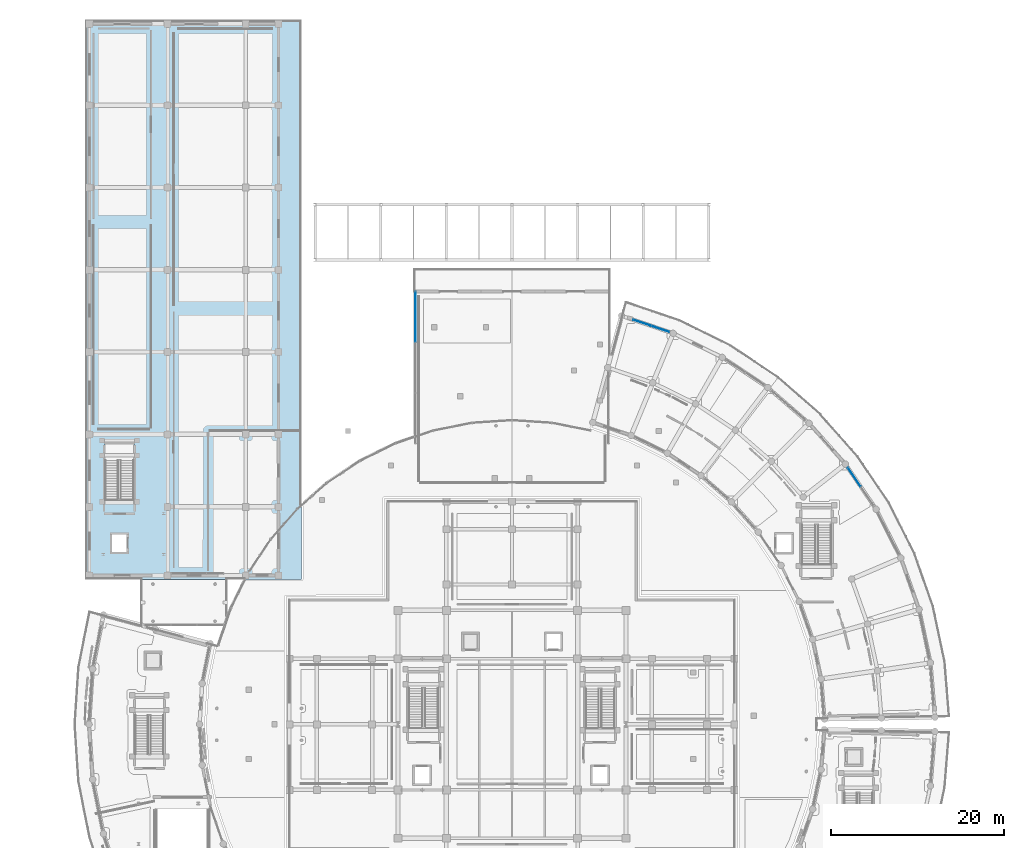
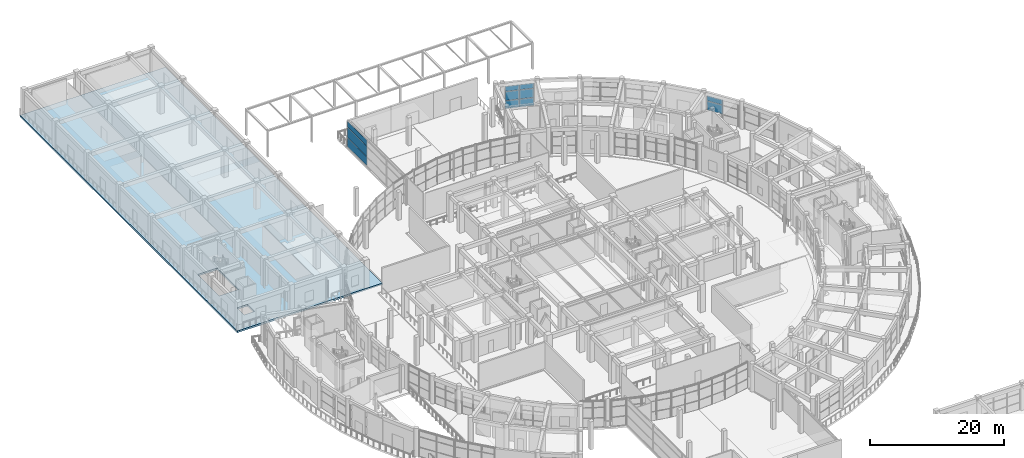
# One storey, part 62 of 99: 11 plates, 1 slab, 3 elements without a shape of their own.
"""IFC4 building model written with IfcOpenShell, lengths in metres."""

import ifcopenshell
import ifcopenshell.guid

model = None  # the IFC model being written
_history = None  # IfcOwnerHistory: only IFC2X3 demands one
_inside = {}  # id of a spatial element -> (the spatial element, [elements in it])
_under = {}  # id of a project, library or spatial element -> (it, [spatial elements below it])
_declared = {}  # id of a project -> (the project, [libraries it declares])
_typed = {}  # id of a type object -> (the type object, [elements of that type])
_made_of = {}  # id of a material, layer set ... -> (it, [elements and type objects made of it])


def new_model(schema):
    """Start an empty IFC model of exactly this schema.

    Asked for "IFC4X3", IfcOpenShell would pick the latest addendum, in which some entities
    have other attributes; the version numbers below select the first issue.
    IFC2X3 requires an IfcOwnerHistory on every rooted entity: one is made here for all.
    """
    global model, _history
    if schema == "IFC4X3":
        model = ifcopenshell.file(schema_version=(4, 3, 0, 0))
    else:
        model = ifcopenshell.file(schema=schema)
    _inside.clear()
    _under.clear()
    _declared.clear()
    _typed.clear()
    _made_of.clear()
    _history = None
    if model.schema == "IFC2X3":
        org = make("IfcOrganization", Name="unknown")
        user = make(
            "IfcPersonAndOrganization",
            ThePerson=make("IfcPerson", FamilyName="unknown"),
            TheOrganization=org,
        )
        app = make(
            "IfcApplication",
            ApplicationDeveloper=org,
            Version="unknown",
            ApplicationFullName="unknown",
            ApplicationIdentifier="unknown",
        )
        _history = make(
            "IfcOwnerHistory",
            OwningUser=user,
            OwningApplication=app,
            ChangeAction="ADDED",
            CreationDate=0,
        )
    return model


def make(cls, **values):
    """One entity of the class cls with the attributes given. An attribute that is None is left unset."""
    return model.create_entity(
        cls, **{name: value for name, value in values.items() if value is not None}
    )


def rooted(cls, **values):
    """An entity with a GlobalId (a new one), such as an element, a storey or a relation."""
    return make(cls, GlobalId=ifcopenshell.guid.new(), OwnerHistory=_history, **values)


def si_unit(unit_type, name, prefix=None):
    """IfcSIUnit, for example si_unit("LENGTHUNIT", "METRE", prefix="MILLI")."""
    return make("IfcSIUnit", UnitType=unit_type, Prefix=prefix, Name=name)


def assignment(units):
    """IfcUnitAssignment: the units of a project."""
    return None if units is None else make("IfcUnitAssignment", Units=units)


def point(xyz):
    """IfcCartesianPoint."""
    return None if xyz is None else make("IfcCartesianPoint", Coordinates=xyz)


def direction(xyz):
    """IfcDirection."""
    return None if xyz is None else make("IfcDirection", DirectionRatios=xyz)


def frame(location, z_axis=None, x_axis=None):
    """IfcAxis2Placement3D, a coordinate frame: its origin and axes. An axis left out is left unset."""
    return make(
        "IfcAxis2Placement3D",
        Location=point(location),
        Axis=direction(z_axis),
        RefDirection=direction(x_axis),
    )


def frame_2d(location, x_axis=None):
    """IfcAxis2Placement2D, a coordinate frame in the plane: its origin and x axis."""
    return make(
        "IfcAxis2Placement2D", Location=point(location), RefDirection=direction(x_axis)
    )


def origin():
    """The frame at (0, 0, 0) with its axes left unset."""
    return frame((0.0, 0.0, 0.0))


def origin_2d():
    """The frame at (0, 0) in the plane with its x axis left unset."""
    return frame_2d((0.0, 0.0))


def place(relative_to, where):
    """IfcLocalPlacement: puts the frame where relative to a parent placement (None: the world)."""
    return make(
        "IfcLocalPlacement", PlacementRelTo=relative_to, RelativePlacement=where
    )


def context(
    kind, dimensions, precision=None, world=None, true_north=None, identifier=None
):
    """IfcGeometricRepresentationContext, for example the 3D "Model" context."""
    return make(
        "IfcGeometricRepresentationContext",
        ContextIdentifier=identifier,
        ContextType=kind,
        CoordinateSpaceDimension=dimensions,
        Precision=precision,
        WorldCoordinateSystem=world,
        TrueNorth=true_north,
    )


def subcontext(parent, identifier, kind, view, scale=None):
    """IfcGeometricRepresentationSubContext, for example "Body" below "Model"."""
    return make(
        "IfcGeometricRepresentationSubContext",
        ContextIdentifier=identifier,
        ContextType=kind,
        ParentContext=parent,
        TargetScale=scale,
        TargetView=view,
    )


def project(units=None, contexts=None):
    """IfcProject with its units and contexts."""
    return rooted(
        "IfcProject",
        Name="project",
        RepresentationContexts=contexts,
        UnitsInContext=assignment(units),
    )


def spatial(cls, under=None, at=None, **own):
    """A site, building, storey or space (cls), placed at a placement, below another one or the project."""
    s = rooted(cls, ObjectPlacement=at, **own)
    if under is not None:
        _under.setdefault(under.id(), (under, []))[1].append(s)
    return s


def polyline(points):
    """IfcPolyline through the points."""
    return make("IfcPolyline", Points=[point(p) for p in points])


def profile(cls, at=None, kind="AREA", **sizes):
    """A parametric profile (cls). Its sizes go by their IFC names, for example OverallWidth=200.0."""
    return make(cls, ProfileType=kind, Position=at, **sizes)


def rectangle(**sizes):
    """IfcRectangleProfileDef."""
    return profile("IfcRectangleProfileDef", **sizes)


def outline(outer, holes=None, kind="AREA"):
    """IfcArbitraryClosedProfileDef: a profile drawn as a closed curve; with holes, ...WithVoids."""
    if holes is None:
        return make("IfcArbitraryClosedProfileDef", ProfileType=kind, OuterCurve=outer)
    return make(
        "IfcArbitraryProfileDefWithVoids",
        ProfileType=kind,
        OuterCurve=outer,
        InnerCurves=holes,
    )


def extrude(swept, where, along, depth):
    """IfcExtrudedAreaSolid: the profile swept, set in the frame where, extruded along a direction by depth."""
    return make(
        "IfcExtrudedAreaSolid",
        SweptArea=swept,
        Position=where,
        ExtrudedDirection=direction(along),
        Depth=depth,
    )


def shape(context_of_items, identifier, shape_type, items):
    """IfcShapeRepresentation: the items that make up one representation, for example the "Body"."""
    return make(
        "IfcShapeRepresentation",
        ContextOfItems=context_of_items,
        RepresentationIdentifier=identifier,
        RepresentationType=shape_type,
        Items=items,
    )


def material(Name=None, Category=None):
    """IfcMaterial."""
    return make("IfcMaterial", Name=Name, Category=Category)


def layer(
    of_material, thickness, ventilated=None, Name=None, Category=None, Priority=None
):
    """IfcMaterialLayer: one layer of a wall or slab, of a material (None: an air gap)."""
    return make(
        "IfcMaterialLayer",
        Material=of_material,
        LayerThickness=thickness,
        IsVentilated=ventilated,
        Name=Name,
        Category=Category,
        Priority=Priority,
    )


def layer_set(layers, Name=None):
    """IfcMaterialLayerSet."""
    return make("IfcMaterialLayerSet", MaterialLayers=layers, LayerSetName=Name)


def made_of(thing, what):
    """Note that an element or type object is made of a material, layer set ...; save() writes the relation."""
    if what is not None:
        _made_of.setdefault(what.id(), (what, []))[1].append(thing)
    return thing


def type_object(cls, material=None, **own):
    """A type object (cls), such as IfcWallType, which elements share."""
    return made_of(rooted(cls, **own), material)


def element(
    cls,
    number,
    at=None,
    inside=None,
    cuts=None,
    type_object=None,
    material=None,
    context=None,
    identifier="Body",
    shape_type=None,
    held_by="IfcProductDefinitionShape",
    body=None,
    shapes=None,
    **own,
):
    """One element of the class cls, such as IfcWall. Its Tag is "e" and its number.

    at: its placement. inside: the storey or other place that contains it. cuts: it is an
    opening in that element (IfcRelVoidsElement). A single representation is given by context,
    identifier, shape_type and body (its items); several are given by shapes. held_by: the class
    of the entity that holds the representations. save() writes the other relations.
    """
    e = rooted(cls, Tag="e%d" % number, ObjectPlacement=at, **own)
    if body is not None:
        shapes = [shape(context, identifier, shape_type, body)]
    if shapes is not None:
        e.Representation = make(held_by, Representations=shapes)
    if inside is not None:
        _inside.setdefault(inside.id(), (inside, []))[1].append(e)
    if cuts is not None:
        rooted(
            "IfcRelVoidsElement", RelatingBuildingElement=cuts, RelatedOpeningElement=e
        )
    if type_object is not None:
        _typed.setdefault(type_object.id(), (type_object, []))[1].append(e)
    return made_of(e, material)


def aggregate(whole, parts):
    """IfcRelAggregates: a whole, such as a stair, and the parts it consists of."""
    return rooted("IfcRelAggregates", RelatingObject=whole, RelatedObjects=parts)


def save(model, path):
    """Write the relations noted so far, then the file.

    IfcRelAggregates (storeys below a building ...), IfcRelContainedInSpatialStructure (elements
    in a storey), IfcRelDefinesByType, IfcRelAssociatesMaterial and IfcRelDeclares: one each for
    every whole, place, type object, material and project.
    """
    for whole, parts in _under.values():
        aggregate(whole, parts)
    for where, things in _inside.values():
        rooted(
            "IfcRelContainedInSpatialStructure",
            RelatedElements=things,
            RelatingStructure=where,
        )
    for kind, things in _typed.values():
        rooted("IfcRelDefinesByType", RelatedObjects=things, RelatingType=kind)
    for what, things in _made_of.values():
        rooted("IfcRelAssociatesMaterial", RelatedObjects=things, RelatingMaterial=what)
    for by, libraries in _declared.values():
        rooted("IfcRelDeclares", RelatingContext=by, RelatedDefinitions=libraries)
    model.write(path)


model = new_model("IFC4")

# Units and contexts
model_context = context("Model", 3, precision=1e-05, world=origin(), true_north=direction((0.0, 1.0)))
body_context = subcontext(model_context, "Body", "Model", "MODEL_VIEW")
ifc_project = project(units=[si_unit("LENGTHUNIT", "METRE"), si_unit("AREAUNIT", "SQUARE_METRE"), si_unit("VOLUMEUNIT", "CUBIC_METRE"), si_unit("PLANEANGLEUNIT", "RADIAN"), si_unit("MASSUNIT", "GRAM", prefix="KILO")], contexts=[model_context])

# Site, building, storey
site_placement = place(None, origin())
site = spatial("IfcSite", under=ifc_project, at=site_placement, CompositionType="ELEMENT")
building_placement = place(site_placement, origin())
building = spatial("IfcBuilding", under=site, at=building_placement, Name="Saryqyr Civic Hall", CompositionType="ELEMENT")
storey_placement = place(building_placement, origin())
storey = spatial("IfcBuildingStorey", under=building, at=storey_placement, Name="L00", CompositionType="ELEMENT", Elevation=0.0)

# Curtain wall, plates
ifc_material_1 = material(Name="Anodised aluminium and triple low-E glass", Category="aluminium")
curtain_wall_type_1 = type_object("IfcCurtainWallType", Name="ENV-CW-STD-42", PredefinedType="NOTDEFINED", material=ifc_material_1)
curtain_wall_1_placement = place(storey_placement, origin())
curtain_wall_1 = element("IfcCurtainWall", 1, at=curtain_wall_1_placement, inside=storey, type_object=curtain_wall_type_1, Name="Curtain wall V6-CWO-L00-04", PredefinedType="NOTDEFINED")
ifc_material_2 = material(Name="Triple low-E insulated glazing", Category="glass")
ifc_layer_1 = layer(ifc_material_2, 0.053955078125, Name="Triple low-E insulated glazing")
ifc_layer_set_1 = layer_set([ifc_layer_1], Name="Triple low-E insulated glazing")
plate_type = type_object("IfcPlateType", Name="ENV-CW-PNL-38", PredefinedType="CURTAIN_PANEL", material=ifc_layer_set_1)
plate_1_placement = place(storey_placement, frame((96.66650390625, 112.623291015625, 1.5400390625), z_axis=(0.0, 0.0, 1.0), x_axis=(0.563119415089, -0.826375534699, 0.0)))
plate_1 = element("IfcPlate", 2, at=plate_1_placement, type_object=plate_type, Name="CW-42 panel 1.2", PredefinedType="CURTAIN_PANEL", context=body_context, shape_type="SweptSolid", body=[
    extrude(rectangle(XDim=2.572021484375, YDim=0.053955078125, at=origin_2d()), origin(), (0.0, 0.0, 1.0), 1.617919921875),
])
plate_2_placement = place(storey_placement, frame((96.66650390625, 112.623291015625, 3.218017578125), z_axis=(0.0, 0.0, 1.0), x_axis=(0.563119415089, -0.826375534699, 0.0)))
plate_2 = element("IfcPlate", 3, at=plate_2_placement, type_object=plate_type, Name="CW-42 panel 1.3", PredefinedType="CURTAIN_PANEL", context=body_context, shape_type="SweptSolid", body=[
    extrude(rectangle(XDim=2.572021484375, YDim=0.053955078125, at=origin_2d()), origin(), (0.0, 0.0, 1.0), 0.9169921875),
])
aggregate(curtain_wall_1, [plate_1, plate_2])

curtain_wall_type_2 = type_object("IfcCurtainWallType", Name="ENV-CW-STD-12", PredefinedType="NOTDEFINED", material=ifc_material_1)
curtain_wall_2_placement = place(storey_placement, origin())
curtain_wall_2 = element("IfcCurtainWall", 4, at=curtain_wall_2_placement, inside=storey, type_object=curtain_wall_type_2, Name="Curtain wall V6-CWO-L00-09", PredefinedType="NOTDEFINED")
plate_3_placement = place(storey_placement, frame((72.08740234375, 130.51611328125, 0.06005859375), z_axis=(0.0, 0.0, 1.0), x_axis=(0.947191086234, -0.320669683879, 0.0)))
plate_3 = element("IfcPlate", 5, at=plate_3_placement, type_object=plate_type, Name="CW-12 panel 1.1", PredefinedType="CURTAIN_PANEL", context=body_context, shape_type="SweptSolid", body=[
    extrude(rectangle(XDim=2.15380859375, YDim=0.053955078125, at=origin_2d()), origin(), (0.0, 0.0, 1.0), 1.419921875),
])
plate_4_placement = place(storey_placement, frame((72.08740234375, 130.51611328125, 1.5400390625), z_axis=(0.0, 0.0, 1.0), x_axis=(0.947191086234, -0.320669683879, 0.0)))
plate_4 = element("IfcPlate", 6, at=plate_4_placement, type_object=plate_type, Name="CW-12 panel 1.2", PredefinedType="CURTAIN_PANEL", context=body_context, shape_type="SweptSolid", body=[
    extrude(rectangle(XDim=2.15380859375, YDim=0.053955078125, at=origin_2d()), origin(), (0.0, 0.0, 1.0), 1.617919921875),
])
plate_5_placement = place(storey_placement, frame((72.08740234375, 130.51611328125, 3.218017578125), z_axis=(0.0, 0.0, 1.0), x_axis=(0.947191086234, -0.320669683879, 0.0)))
plate_5 = element("IfcPlate", 7, at=plate_5_placement, type_object=plate_type, Name="CW-12 panel 1.3", PredefinedType="CURTAIN_PANEL", context=body_context, shape_type="SweptSolid", body=[
    extrude(rectangle(XDim=2.15380859375, YDim=0.053955078125, at=origin_2d()), origin(), (0.0, 0.0, 1.0), 0.9169921875),
])
plate_6_placement = place(storey_placement, frame((74.1845703125, 129.80615234375, 0.06005859375), z_axis=(0.0, 0.0, 1.0), x_axis=(0.947191086234, -0.320669683879, 0.0)))
plate_6 = element("IfcPlate", 8, at=plate_6_placement, type_object=plate_type, Name="CW-12 panel 2.1", PredefinedType="CURTAIN_PANEL", context=body_context, shape_type="SweptSolid", body=[
    extrude(rectangle(XDim=2.15380859375, YDim=0.053955078125, at=origin_2d()), origin(), (0.0, 0.0, 1.0), 1.419921875),
])
plate_7_placement = place(storey_placement, frame((74.1845703125, 129.80615234375, 1.5400390625), z_axis=(0.0, 0.0, 1.0), x_axis=(0.947191086234, -0.320669683879, 0.0)))
plate_7 = element("IfcPlate", 9, at=plate_7_placement, type_object=plate_type, Name="CW-12 panel 2.2", PredefinedType="CURTAIN_PANEL", context=body_context, shape_type="SweptSolid", body=[
    extrude(rectangle(XDim=2.15380859375, YDim=0.053955078125, at=origin_2d()), origin(), (0.0, 0.0, 1.0), 1.617919921875),
])
plate_8_placement = place(storey_placement, frame((74.1845703125, 129.80615234375, 3.218017578125), z_axis=(0.0, 0.0, 1.0), x_axis=(0.947191086234, -0.320669683879, 0.0)))
plate_8 = element("IfcPlate", 10, at=plate_8_placement, type_object=plate_type, Name="CW-12 panel 2.3", PredefinedType="CURTAIN_PANEL", context=body_context, shape_type="SweptSolid", body=[
    extrude(rectangle(XDim=2.15380859375, YDim=0.053955078125, at=origin_2d()), origin(), (0.0, 0.0, 1.0), 0.9169921875),
])
aggregate(curtain_wall_2, [plate_3, plate_4, plate_5, plate_6, plate_7, plate_8])

curtain_wall_type_3 = type_object("IfcCurtainWallType", Name="ENV-CW-STD-65", PredefinedType="NOTDEFINED", material=ifc_material_1)
curtain_wall_3_placement = place(storey_placement, origin())
curtain_wall_3 = element("IfcCurtainWall", 11, at=curtain_wall_3_placement, inside=storey, type_object=curtain_wall_type_3, Name="Curtain wall V2-VESTFLK-NW-L00", PredefinedType="NOTDEFINED")
plate_9_placement = place(storey_placement, frame((45.800048828125, 131.193359375, 0.06005859375), z_axis=(0.0, 0.0, 1.0), x_axis=(0.0, 1.0, 0.0)))
plate_9 = element("IfcPlate", 12, at=plate_9_placement, type_object=plate_type, Name="CW-65 panel 3.1", PredefinedType="CURTAIN_PANEL", context=body_context, shape_type="SweptSolid", body=[
    extrude(rectangle(XDim=5.793212890625, YDim=0.053955078125, at=origin_2d()), origin(), (0.0, 0.0, 1.0), 1.6201171875),
])
plate_10_placement = place(storey_placement, frame((45.800048828125, 131.193359375, 1.73974609375), z_axis=(0.0, 0.0, 1.0), x_axis=(0.0, 1.0, 0.0)))
plate_10 = element("IfcPlate", 13, at=plate_10_placement, type_object=plate_type, Name="CW-65 panel 3.2", PredefinedType="CURTAIN_PANEL", context=body_context, shape_type="SweptSolid", body=[
    extrude(rectangle(XDim=5.793212890625, YDim=0.053955078125, at=origin_2d()), origin(), (0.0, 0.0, 1.0), 1.840087890625),
])
plate_11_placement = place(storey_placement, frame((45.800048828125, 131.193359375, 3.64013671875), z_axis=(0.0, 0.0, 1.0), x_axis=(0.0, 1.0, 0.0)))
plate_11 = element("IfcPlate", 14, at=plate_11_placement, type_object=plate_type, Name="CW-65 panel 3.3", PredefinedType="CURTAIN_PANEL", context=body_context, shape_type="SweptSolid", body=[
    extrude(rectangle(XDim=5.793212890625, YDim=0.053955078125, at=origin_2d()), origin(), (0.0, 0.0, 1.0), 1.050048828125),
])
aggregate(curtain_wall_3, [plate_9, plate_10, plate_11])

# Slab
ifc_material_3 = material(Name="Concrete C40/50", Category="concrete")
ifc_layer_2 = layer(ifc_material_3, 0.320068359375, Name="Concrete C40/50")
ifc_layer_set_2 = layer_set([ifc_layer_2], Name="Concrete C40/50")
slab_type = type_object("IfcSlabType", Name="STR-SLB-FLR-320", PredefinedType="FLOOR", material=ifc_layer_set_2)
slab_placement = place(storey_placement, frame((0.0, 0.0, -0.320068359375)))
element("IfcSlab", 15, at=slab_placement, inside=storey, type_object=slab_type, Name="Slab SLB-V3-L00", PredefinedType="FLOOR", context=body_context, shape_type="SweptSolid", body=[
    extrude(outline(polyline([(32.60009765625, 165.60009765625), (32.60009765625, 100.800048828125), (7.60009765625, 100.800048828125), (7.60009765625, 165.60009765625), (32.60009765625, 165.60009765625)]), holes=[polyline([(12.39990234375, 106.050048828125), (10.60009765625, 106.050048828125), (10.60009765625, 103.949951171875), (12.39990234375, 103.949951171875), (12.39990234375, 106.050048828125)]), polyline([(13.199951171875, 116.5), (9.840087890625, 116.5), (9.840087890625, 110.080078125), (13.199951171875, 110.080078125), (13.199951171875, 116.5)])]), origin(), (0.0, 0.0, 1.0), 0.320068359375),
])

save(model, "model.ifc")
